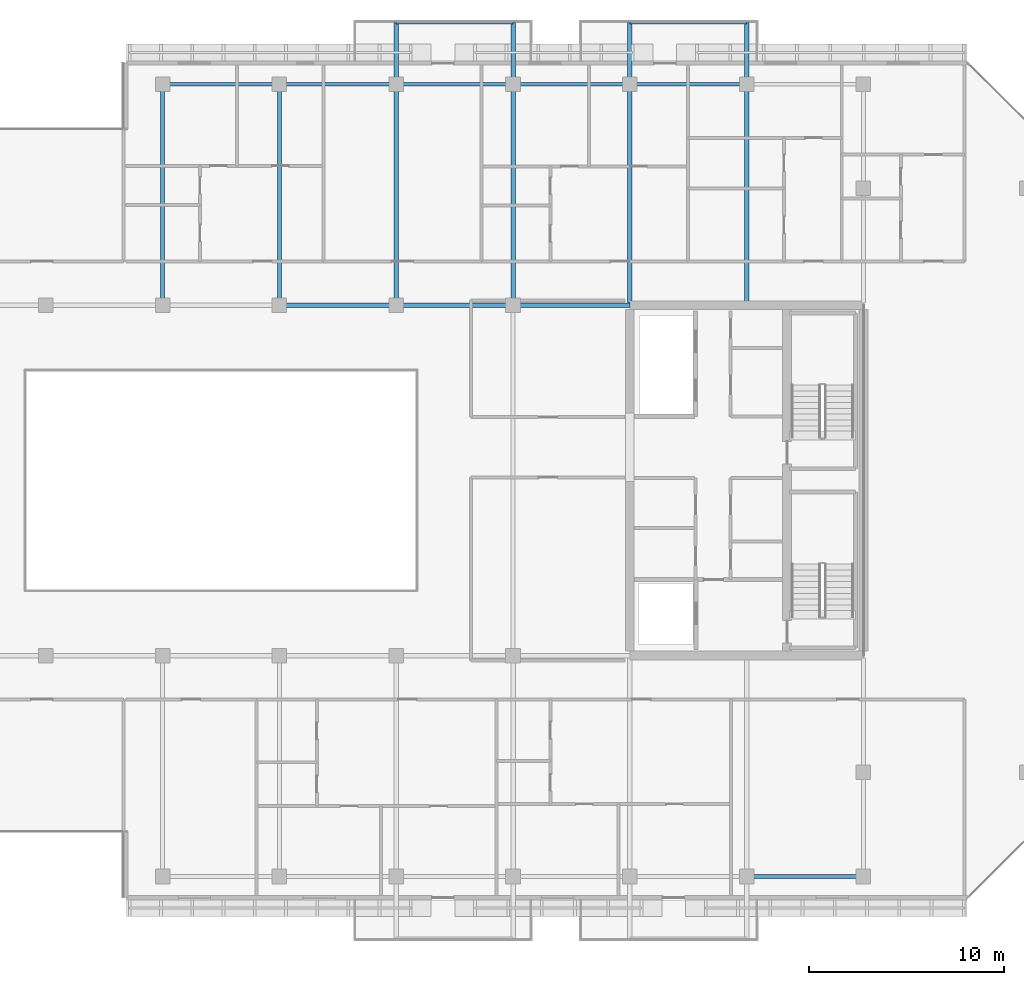
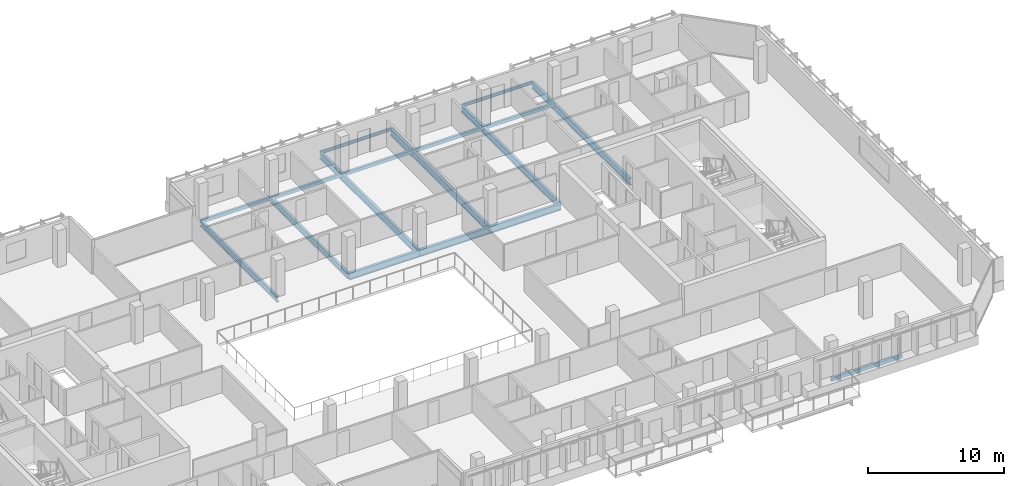
# One storey, part 9 of 25: 17 beams.
"""IFC4 building model written with IfcOpenShell, lengths in metres."""

from ifc_helpers import new_model, si_unit, direction, frame, origin, origin_2d, place, context, subcontext, project, spatial, hollow_rectangle, i_section, extrude, material, material_profile, profile_set, type_object, element, save


model = new_model("IFC4")

# Units and contexts
model_context = context("Model", 3, precision=1e-05, world=origin(), true_north=direction((0.0, 1.0)))
body_context = subcontext(model_context, "Body", "Model", "MODEL_VIEW")
ifc_project = project(units=[si_unit("LENGTHUNIT", "METRE"), si_unit("AREAUNIT", "SQUARE_METRE"), si_unit("VOLUMEUNIT", "CUBIC_METRE"), si_unit("PLANEANGLEUNIT", "RADIAN"), si_unit("MASSUNIT", "GRAM", prefix="KILO")], contexts=[model_context])

# Site, building, storey
site_placement = place(None, origin())
site = spatial("IfcSite", under=ifc_project, at=site_placement, CompositionType="ELEMENT")
building_placement = place(site_placement, origin())
building = spatial("IfcBuilding", under=site, at=building_placement, Name="Tanjung Sevakor Pilgrim Tower", CompositionType="ELEMENT")
storey_placement = place(building_placement, frame((0.0, 0.0, 204.929931640625)))
storey = spatial("IfcBuildingStorey", under=building, at=storey_placement, Name="L57", CompositionType="ELEMENT", Elevation=204.929931640625)

# Beams
ifc_material_1 = material(Name="Steel S355J2", Category="steel")
ifc_material_profile_1 = material_profile(ifc_material_1, i_section(OverallWidth=0.22900390625, OverallDepth=0.6123046875, WebThickness=0.011962890625, FlangeThickness=0.01953125, FilletRadius=0.0126953125, at=origin_2d()))
ifc_profile_set_1 = profile_set([ifc_material_profile_1], Name="Steel S355J2")
beam_type_1 = type_object("IfcBeamType", Name="BM-B-G4-UB_610x229x125", PredefinedType="BEAM", material=ifc_profile_set_1)
for number, where, z_axis, x_axis, name in (
    (1, (60.0, 42.60009765625, -0.526123046875), (1.0, 0.0, 0.0), (0.0, 1.0, 0.0), "L57 Primary Floor Girder MAIN Y426-06"),
    (2, (66.0, 42.60009765625, -0.526123046875), (1.0, 0.0, 0.0), (0.0, 1.0, 0.0), "L57 Primary Floor Girder MAIN Y426-07"),
    (3, (72.0, 42.60009765625, -0.526123046875), (1.0, 0.0, 0.0), (0.0, 1.0, 0.0), "L57 Primary Floor Girder MAIN Y426-08"),
):
    element("IfcBeam", number, at=place(storey_placement, frame(where, z_axis=z_axis, x_axis=x_axis)), inside=storey, type_object=beam_type_1, Name=name, PredefinedType="BEAM", context=body_context, shape_type="SweptSolid", body=[
        extrude(i_section(OverallWidth=0.22900390625, OverallDepth=0.6123046875, WebThickness=0.011962890625, FlangeThickness=0.01953125, FilletRadius=0.0126953125, at=origin_2d()), origin(), (0.0, 0.0, 1.0), 6.0),
    ])
for number, where, z_axis, x_axis, name in (
    (4, (66.0, 42.60009765625, -0.526123046875), (0.0, 1.0, 0.0), (-1.0, 0.0, 0.0), "L57 Balcony Cantilever Beam MAIN-N2-1"),
    (5, (72.0, 42.60009765625, -0.526123046875), (0.0, 1.0, 0.0), (-1.0, 0.0, 0.0), "L57 Balcony Cantilever Beam MAIN-N2-2"),
):
    element("IfcBeam", number, at=place(storey_placement, frame(where, z_axis=z_axis, x_axis=x_axis)), inside=storey, type_object=beam_type_1, Name=name, PredefinedType="BEAM", context=body_context, shape_type="SweptSolid", body=[
        extrude(i_section(OverallWidth=0.22900390625, OverallDepth=0.6123046875, WebThickness=0.011962890625, FlangeThickness=0.01953125, FilletRadius=0.0126953125, at=origin_2d()), origin(), (0.0, 0.0, 1.0), 14.52978515625),
    ])
for number, where, z_axis, x_axis, name in (
    (6, (78.0, 42.714599609375, -0.526123046875), (0.0, 1.0, 0.0), (-1.0, 0.0, 0.0), "L57 Balcony Cantilever Beam MAIN-N3-1"),
    (7, (84.0, 42.714599609375, -0.526123046875), (0.0, 1.0, 0.0), (-1.0, 0.0, 0.0), "L57 Balcony Cantilever Beam MAIN-N3-2"),
):
    element("IfcBeam", number, at=place(storey_placement, frame(where, z_axis=z_axis, x_axis=x_axis)), inside=storey, type_object=beam_type_1, Name=name, PredefinedType="BEAM", context=body_context, shape_type="SweptSolid", body=[
        extrude(i_section(OverallWidth=0.22900390625, OverallDepth=0.6123046875, WebThickness=0.011962890625, FlangeThickness=0.01953125, FilletRadius=0.0126953125, at=origin_2d()), origin(), (0.0, 0.0, 1.0), 14.415283203125),
    ])
ifc_material_2 = material(Name="Steel S355J2", Category="steel")
ifc_material_profile_2 = material_profile(ifc_material_2, i_section(OverallWidth=0.2119140625, OverallDepth=0.54443359375, WebThickness=0.0126953125, FlangeThickness=0.021240234375, FilletRadius=0.0126953125, at=origin_2d()))
ifc_profile_set_2 = profile_set([ifc_material_profile_2], Name="Steel S355J2")
beam_type_2 = type_object("IfcBeamType", Name="BM-B-G5-UB_533x210x122", PredefinedType="BEAM", material=ifc_profile_set_2)
for number, where, z_axis, x_axis, name in (
    (8, (54.0, 42.60009765625, -0.4921875), (0.0, 1.0, 0.0), (-1.0, 0.0, 0.0), "L57 MAIN Girder 005"),
    (9, (60.0, 42.60009765625, -0.4921875), (0.0, 1.0, 0.0), (-1.0, 0.0, 0.0), "L57 MAIN Girder 007"),
):
    element("IfcBeam", number, at=place(storey_placement, frame(where, z_axis=z_axis, x_axis=x_axis)), inside=storey, type_object=beam_type_2, Name=name, PredefinedType="BEAM", context=body_context, shape_type="SweptSolid", body=[
        extrude(i_section(OverallWidth=0.2119140625, OverallDepth=0.54443359375, WebThickness=0.0126953125, FlangeThickness=0.021240234375, FilletRadius=0.0126953125, at=origin_2d()), origin(), (0.0, 0.0, 1.0), 11.349853515625),
    ])
ifc_material_3 = material(Name="Steel S355J2", Category="steel")
ifc_material_profile_3 = material_profile(ifc_material_3, i_section(OverallWidth=0.146484375, OverallDepth=0.256103515625, WebThickness=0.00634765625, FlangeThickness=0.010986328125, FilletRadius=0.007568359375, at=origin_2d()))
ifc_profile_set_3 = profile_set([ifc_material_profile_3], Name="Steel S355J2")
beam_type_3 = type_object("IfcBeamType", Name="BM-B-J6-UB_254x146x37", PredefinedType="JOIST", material=ifc_profile_set_3)
for number, where, z_axis, x_axis, name in (
    (10, (66.0, 57.1298828125, -0.327880859375), (1.0, 0.0, 0.0), (0.0, 1.0, 0.0), "L57 Balcony Rim Tie MAIN-N2"),
    (11, (78.0, 57.1298828125, -0.327880859375), (1.0, 0.0, 0.0), (0.0, 1.0, 0.0), "L57 Balcony Rim Tie MAIN-N3"),
):
    element("IfcBeam", number, at=place(storey_placement, frame(where, z_axis=z_axis, x_axis=x_axis)), inside=storey, type_object=beam_type_3, Name=name, PredefinedType="JOIST", context=body_context, shape_type="SweptSolid", body=[
        extrude(i_section(OverallWidth=0.146484375, OverallDepth=0.256103515625, WebThickness=0.00634765625, FlangeThickness=0.010986328125, FilletRadius=0.007568359375, at=origin_2d()), origin(), (0.0, 0.0, 1.0), 6.0),
    ])
ifc_material_4 = material(Name="Steel S355J2", Category="steel")
ifc_material_profile_4 = material_profile(ifc_material_4, hollow_rectangle(XDim=0.199951171875, YDim=0.300048828125, WallThickness=0.012451171875, at=origin_2d()))
ifc_profile_set_4 = profile_set([ifc_material_profile_4], Name="Steel S355J2")
beam_type_4 = type_object("IfcBeamType", Name="BM-B-SP3-RHS_300x200x12.5", PredefinedType="SPANDREL", material=ifc_profile_set_4)
for number, where, z_axis, x_axis, name in (
    (12, (54.0, 53.949951171875, -0.369873046875), (1.0, 0.0, 0.0), (0.0, 1.0, 0.0), "L57 Spandrel MAIN N-06"),
    (13, (60.0, 53.949951171875, -0.369873046875), (1.0, 0.0, 0.0), (0.0, 1.0, 0.0), "L57 Spandrel MAIN N-08"),
    (14, (66.0, 53.949951171875, -0.369873046875), (1.0, 0.0, 0.0), (0.0, 1.0, 0.0), "L57 Spandrel MAIN N-10"),
    (15, (72.0, 53.949951171875, -0.369873046875), (1.0, 0.0, 0.0), (0.0, 1.0, 0.0), "L57 Spandrel MAIN N-12"),
    (16, (78.0, 53.949951171875, -0.369873046875), (1.0, 0.0, 0.0), (0.0, 1.0, 0.0), "L57 Spandrel MAIN N-14"),
    (17, (84.0, 13.25, -0.369873046875), (1.0, 0.0, 0.0), (0.0, 1.0, 0.0), "L57 Spandrel MAIN S-15"),
):
    element("IfcBeam", number, at=place(storey_placement, frame(where, z_axis=z_axis, x_axis=x_axis)), inside=storey, type_object=beam_type_4, Name=name, PredefinedType="SPANDREL", context=body_context, shape_type="SweptSolid", body=[
        extrude(hollow_rectangle(XDim=0.199951171875, YDim=0.300048828125, WallThickness=0.012451171875, at=origin_2d()), origin(), (0.0, 0.0, 1.0), 6.0),
    ])

save(model, "model.ifc")
